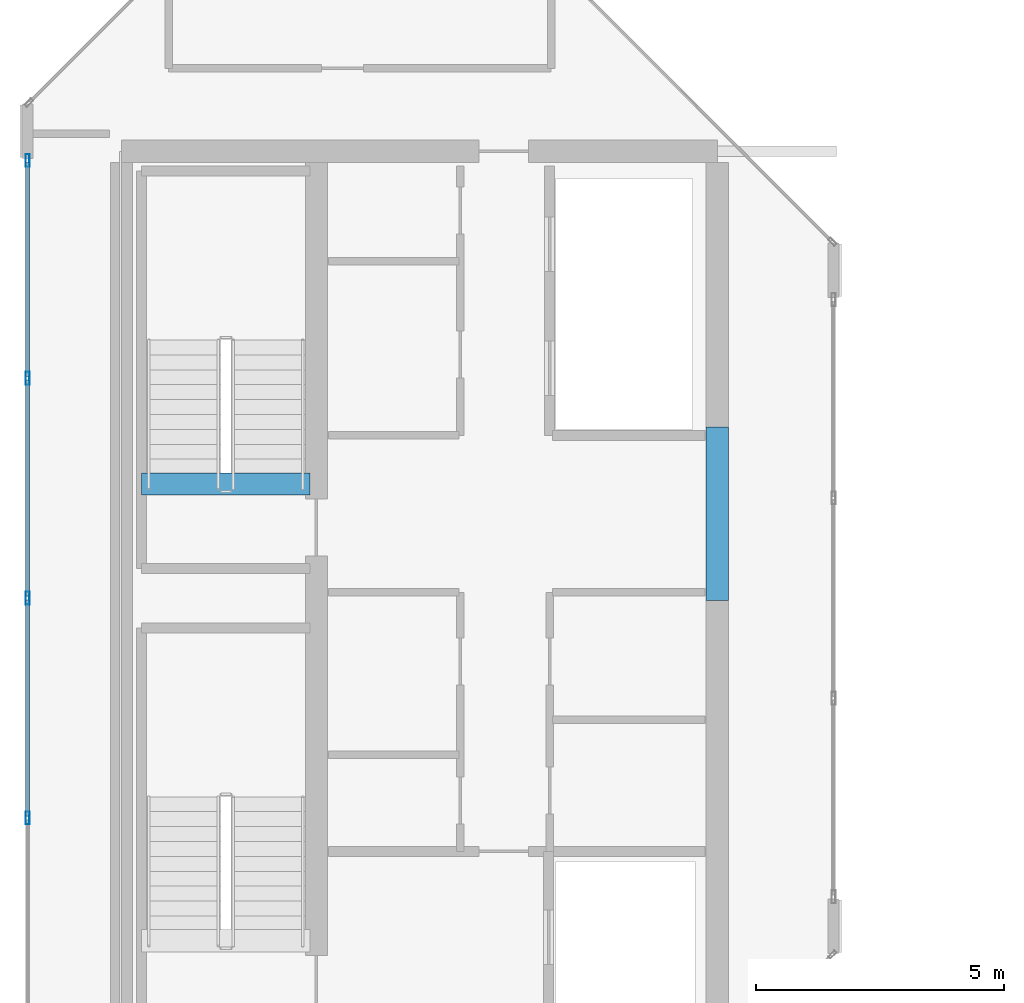
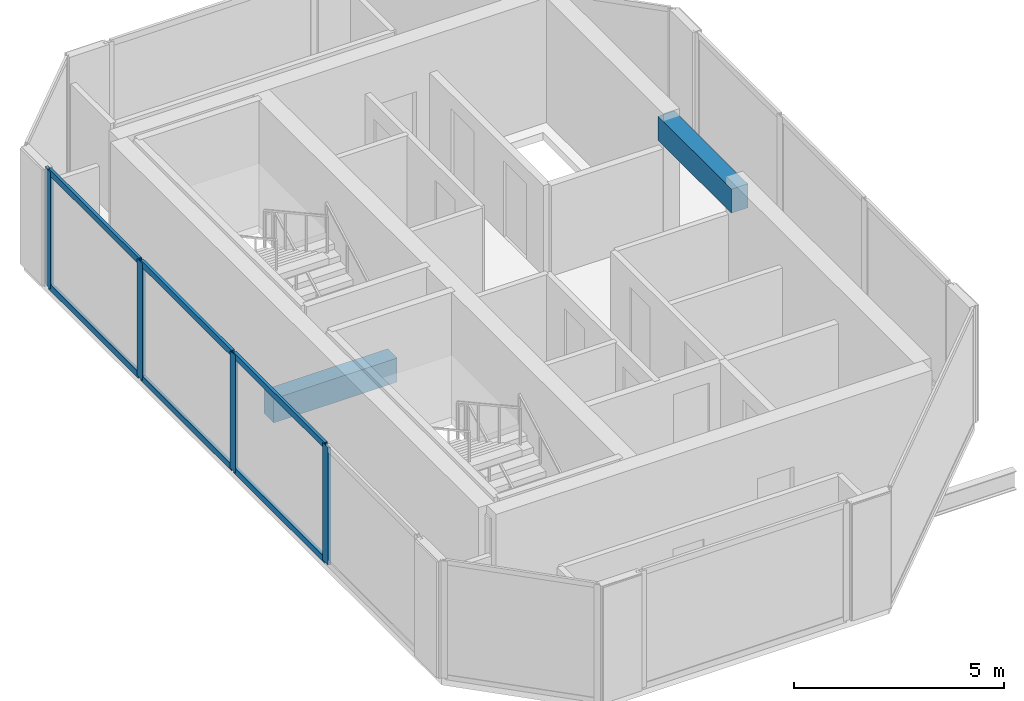
# One storey, part 4 of 28: 10 members, 2 beams, 1 element without a shape of its own.
"""IFC4 building model written with IfcOpenShell, lengths in metres."""

from ifc_helpers import new_model, si_unit, direction, frame, origin, origin_2d, place, context, subcontext, project, spatial, rectangle, hollow_rectangle, extrude, material, layer, layer_set, material_profile, profile_set, type_object, element, aggregate, save


model = new_model("IFC4")

# Units and contexts
model_context = context("Model", 3, precision=1e-05, world=origin(), true_north=direction((0.0, 1.0)))
body_context = subcontext(model_context, "Body", "Model", "MODEL_VIEW")
ifc_project = project(units=[si_unit("LENGTHUNIT", "METRE"), si_unit("AREAUNIT", "SQUARE_METRE"), si_unit("VOLUMEUNIT", "CUBIC_METRE"), si_unit("PLANEANGLEUNIT", "RADIAN"), si_unit("MASSUNIT", "GRAM", prefix="KILO")], contexts=[model_context])

# Site, building, storey
site_placement = place(None, origin())
site = spatial("IfcSite", under=ifc_project, at=site_placement, CompositionType="ELEMENT")
building_placement = place(site_placement, origin())
building = spatial("IfcBuilding", under=site, at=building_placement, Name="Tanjung Sevakor Pilgrim Tower", CompositionType="ELEMENT")
storey_placement = place(building_placement, frame((0.0, 0.0, 249.81005859375)))
storey = spatial("IfcBuildingStorey", under=building, at=storey_placement, Name="L70", CompositionType="ELEMENT", Elevation=249.81005859375)

# Beams
ifc_material_1 = material(Name="Concrete C60/75", Category="concrete")
ifc_material_profile_1 = material_profile(ifc_material_1, rectangle(XDim=0.449951171875, YDim=0.699951171875, at=origin_2d()))
ifc_profile_set_1 = profile_set([ifc_material_profile_1], Name="Concrete C60/75")
beam_type = type_object("IfcBeamType", Name="BM-B-LN3-RC-BM_450x700", PredefinedType="LINTEL", material=ifc_profile_set_1)
beam_1_placement = place(storey_placement, frame((36.0, 33.550048828125, 3.06005859375), z_axis=(0.0, 1.0, 0.0), x_axis=(-1.0, 0.0, 0.0)))
element("IfcBeam", 1, at=beam_1_placement, inside=storey, type_object=beam_type, Name="L70 W Core Coupling Lintel", PredefinedType="LINTEL", context=body_context, shape_type="SweptSolid", body=[
    extrude(rectangle(XDim=0.449951171875, YDim=0.699951171875, at=origin_2d()), origin(), (0.0, 0.0, 1.0), 3.5),
])
beam_2_placement = place(storey_placement, frame((24.39990234375, 35.89990234375, -0.35009765625), z_axis=(1.0, 0.0, 0.0), x_axis=(0.0, 1.0, 0.0)))
element("IfcBeam", 2, at=beam_2_placement, inside=storey, type_object=beam_type, Name="L70 TS-W2 Stair Threshold Beam", PredefinedType="LINTEL", context=body_context, shape_type="SweptSolid", body=[
    extrude(rectangle(XDim=0.449951171875, YDim=0.699951171875, at=origin_2d()), origin(), (0.0, 0.0, 1.0), 3.400146484375),
])

# Curtain wall, members
ifc_material_2 = material(Name="Aluminium 6063-T6 and Low-E Glass", Category="aluminium")
ifc_layer = layer(ifc_material_2, 0.199951171875)
ifc_layer_set = layer_set([ifc_layer], Name="CW-SYS-CRNW")
curtain_wall_type = type_object("IfcCurtainWallType", Name="CW-SYS-CRNW", PredefinedType="NOTDEFINED", material=ifc_layer_set)
curtain_wall_placement = place(storey_placement, origin())
curtain_wall = element("IfcCurtainWall", 3, at=curtain_wall_placement, inside=storey, type_object=curtain_wall_type, Name="L70 Curtain Wall CW-CRN-L70-WEST-6-1", PredefinedType="NOTDEFINED")
ifc_material_3 = material(Name="Aluminium 6063-T6", Category="aluminium")
ifc_material_profile_2 = material_profile(ifc_material_3, hollow_rectangle(XDim=0.080078125, YDim=0.260009765625, WallThickness=0.0048828125, at=origin_2d()))
ifc_profile_set_2 = profile_set([ifc_material_profile_2], Name="Aluminium 6063-T6")
member_type_1 = type_object("IfcMemberType", Name="TYPE-CWM-3", PredefinedType="MULLION", material=ifc_profile_set_2)
member_1_placement = place(storey_placement, frame((22.110107421875, 42.414306640625, 0.0), z_axis=(0.0, 0.0, 1.0), x_axis=(1.0, 0.0, 0.0)))
member_1 = element("IfcMember", 4, at=member_1_placement, type_object=member_type_1, Name="CW-CRW mullion 1", PredefinedType="MULLION", context=body_context, shape_type="SweptSolid", body=[
    extrude(hollow_rectangle(XDim=0.080078125, YDim=0.260009765625, WallThickness=0.0048828125, at=origin_2d()), origin(), (0.0, 0.0, 1.0), 3.409912109375),
])
member_2_placement = place(storey_placement, frame((22.110107421875, 38.027099609375, 0.0), z_axis=(0.0, 0.0, 1.0), x_axis=(1.0, 0.0, 0.0)))
member_2 = element("IfcMember", 5, at=member_2_placement, type_object=member_type_1, Name="CW-CRW mullion 2", PredefinedType="MULLION", context=body_context, shape_type="SweptSolid", body=[
    extrude(hollow_rectangle(XDim=0.080078125, YDim=0.260009765625, WallThickness=0.0048828125, at=origin_2d()), origin(), (0.0, 0.0, 1.0), 3.409912109375),
])
member_3_placement = place(storey_placement, frame((22.110107421875, 33.60009765625, 0.0), z_axis=(0.0, 0.0, 1.0), x_axis=(1.0, 0.0, 0.0)))
member_3 = element("IfcMember", 6, at=member_3_placement, type_object=member_type_1, Name="CW-CRW mullion 3", PredefinedType="MULLION", context=body_context, shape_type="SweptSolid", body=[
    extrude(hollow_rectangle(XDim=0.080078125, YDim=0.260009765625, WallThickness=0.0048828125, at=origin_2d()), origin(), (0.0, 0.0, 1.0), 3.409912109375),
])
member_4_placement = place(storey_placement, frame((22.110107421875, 29.1728515625, 0.0), z_axis=(0.0, 0.0, 1.0), x_axis=(1.0, 0.0, 0.0)))
member_4 = element("IfcMember", 7, at=member_4_placement, type_object=member_type_1, Name="CW-CRW mullion 4", PredefinedType="MULLION", context=body_context, shape_type="SweptSolid", body=[
    extrude(hollow_rectangle(XDim=0.080078125, YDim=0.260009765625, WallThickness=0.0048828125, at=origin_2d()), origin(), (0.0, 0.0, 1.0), 3.409912109375),
])
ifc_material_4 = material(Name="Aluminium 6063-T6", Category="aluminium")
ifc_material_profile_3 = material_profile(ifc_material_4, hollow_rectangle(XDim=0.080078125, YDim=0.179931640625, WallThickness=0.0048828125, at=origin_2d()))
ifc_profile_set_3 = profile_set([ifc_material_profile_3], Name="Aluminium 6063-T6")
member_type_2 = type_object("IfcMemberType", Name="TYPE-CWT-3", PredefinedType="USERDEFINED", material=ifc_profile_set_3)
member_5_placement = place(storey_placement, frame((22.110107421875, 42.37451171875, 0.0400390625), z_axis=(0.0, -1.0, 0.0), x_axis=(1.0, 0.0, 0.0)))
member_5 = element("IfcMember", 8, at=member_5_placement, type_object=member_type_2, Name="CW-CRW transom 1.1", ObjectType="TRANSOM", PredefinedType="USERDEFINED", context=body_context, shape_type="SweptSolid", body=[
    extrude(hollow_rectangle(XDim=0.080078125, YDim=0.179931640625, WallThickness=0.0048828125, at=origin_2d()), origin(), (0.0, 0.0, 1.0), 4.307373046875),
])
member_6_placement = place(storey_placement, frame((22.110107421875, 42.37451171875, 3.369873046875), z_axis=(0.0, -1.0, 0.0), x_axis=(1.0, 0.0, 0.0)))
member_6 = element("IfcMember", 9, at=member_6_placement, type_object=member_type_2, Name="CW-CRW transom 1.2", ObjectType="TRANSOM", PredefinedType="USERDEFINED", context=body_context, shape_type="SweptSolid", body=[
    extrude(hollow_rectangle(XDim=0.080078125, YDim=0.179931640625, WallThickness=0.0048828125, at=origin_2d()), origin(), (0.0, 0.0, 1.0), 4.307373046875),
])
member_7_placement = place(storey_placement, frame((22.110107421875, 37.9873046875, 0.0400390625), z_axis=(0.0, -1.0, 0.0), x_axis=(1.0, 0.0, 0.0)))
member_7 = element("IfcMember", 10, at=member_7_placement, type_object=member_type_2, Name="CW-CRW transom 2.1", ObjectType="TRANSOM", PredefinedType="USERDEFINED", context=body_context, shape_type="SweptSolid", body=[
    extrude(hollow_rectangle(XDim=0.080078125, YDim=0.179931640625, WallThickness=0.0048828125, at=origin_2d()), origin(), (0.0, 0.0, 1.0), 4.347412109375),
])
member_8_placement = place(storey_placement, frame((22.110107421875, 37.9873046875, 3.369873046875), z_axis=(0.0, -1.0, 0.0), x_axis=(1.0, 0.0, 0.0)))
member_8 = element("IfcMember", 11, at=member_8_placement, type_object=member_type_2, Name="CW-CRW transom 2.2", ObjectType="TRANSOM", PredefinedType="USERDEFINED", context=body_context, shape_type="SweptSolid", body=[
    extrude(hollow_rectangle(XDim=0.080078125, YDim=0.179931640625, WallThickness=0.0048828125, at=origin_2d()), origin(), (0.0, 0.0, 1.0), 4.347412109375),
])
member_9_placement = place(storey_placement, frame((22.110107421875, 33.56005859375, 0.0400390625), z_axis=(0.0, -1.0, 0.0), x_axis=(1.0, 0.0, 0.0)))
member_9 = element("IfcMember", 12, at=member_9_placement, type_object=member_type_2, Name="CW-CRW transom 3.1", ObjectType="TRANSOM", PredefinedType="USERDEFINED", context=body_context, shape_type="SweptSolid", body=[
    extrude(hollow_rectangle(XDim=0.080078125, YDim=0.179931640625, WallThickness=0.0048828125, at=origin_2d()), origin(), (0.0, 0.0, 1.0), 4.34716796875),
])
member_10_placement = place(storey_placement, frame((22.110107421875, 33.56005859375, 3.369873046875), z_axis=(0.0, -1.0, 0.0), x_axis=(1.0, 0.0, 0.0)))
member_10 = element("IfcMember", 13, at=member_10_placement, type_object=member_type_2, Name="CW-CRW transom 3.2", ObjectType="TRANSOM", PredefinedType="USERDEFINED", context=body_context, shape_type="SweptSolid", body=[
    extrude(hollow_rectangle(XDim=0.080078125, YDim=0.179931640625, WallThickness=0.0048828125, at=origin_2d()), origin(), (0.0, 0.0, 1.0), 4.34716796875),
])
aggregate(curtain_wall, [member_1, member_2, member_3, member_4, member_5, member_6, member_7, member_8, member_9, member_10])

save(model, "model.ifc")
